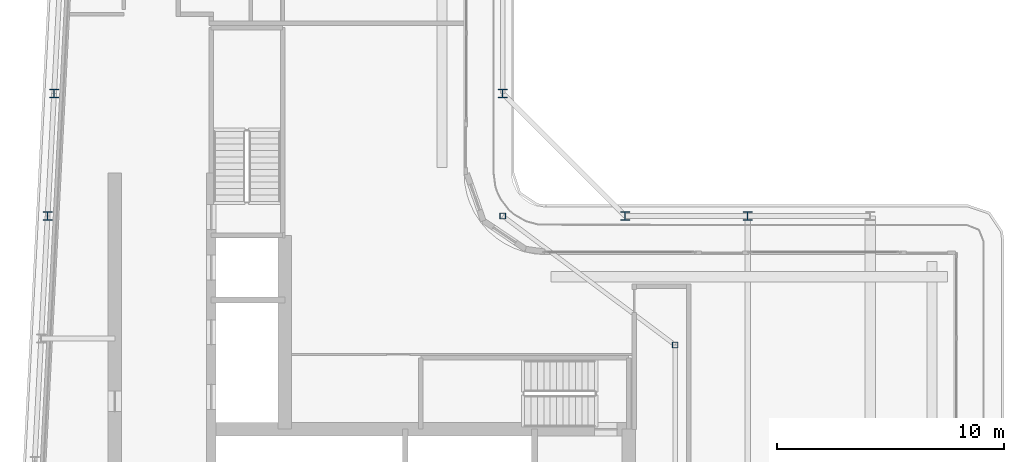
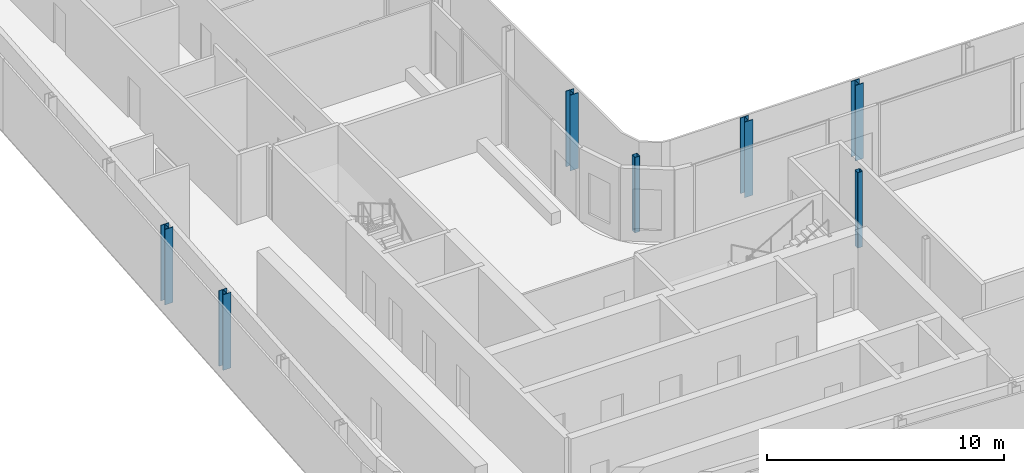
# One storey, part 2 of 20: 7 columns.
"""IFC4 building model written with IfcOpenShell, lengths in metres."""

from ifc_helpers import new_model, si_unit, direction, frame, origin, origin_2d, place, context, subcontext, project, spatial, hollow_rectangle, i_section, extrude, material, material_profile, profile_set, type_object, element, save


model = new_model("IFC4")

# Units and contexts
model_context = context("Model", 3, precision=1e-05, world=origin(), true_north=direction((0.0, 1.0)))
body_context = subcontext(model_context, "Body", "Model", "MODEL_VIEW")
ifc_project = project(units=[si_unit("LENGTHUNIT", "METRE"), si_unit("AREAUNIT", "SQUARE_METRE"), si_unit("VOLUMEUNIT", "CUBIC_METRE"), si_unit("PLANEANGLEUNIT", "RADIAN"), si_unit("MASSUNIT", "GRAM", prefix="KILO")], contexts=[model_context])

# Site, building, storey
site_placement = place(None, origin())
site = spatial("IfcSite", under=ifc_project, at=site_placement, CompositionType="ELEMENT")
building_placement = place(site_placement, origin())
building = spatial("IfcBuilding", under=site, at=building_placement, Name="Kheshtan School and Residences Tower", CompositionType="ELEMENT")
storey_placement = place(building_placement, frame((0.0, 0.0, 286.39990234375)))
storey = spatial("IfcBuildingStorey", under=building, at=storey_placement, Name="L67", CompositionType="ELEMENT", Elevation=286.39990234375)

# Columns
ifc_material_1 = material(Name="Steel ASTM A992 Grade 50", Category="steel")
ifc_material_profile_1 = material_profile(ifc_material_1, i_section(OverallWidth=0.39501953125, OverallDepth=0.3798828125, WebThickness=0.018798828125, FlangeThickness=0.0302734375, FilletRadius=0.011474609375, at=origin_2d()), Name="W360x237")
ifc_profile_set_1 = profile_set([ifc_material_profile_1], Name="Steel ASTM A992 Grade 50")
column_type_1 = type_object("IfcColumnType", Name="Column C5 W360x237 ASTM A992 Grade 50", PredefinedType="COLUMN", material=ifc_profile_set_1)
for number, where, z_axis, x_axis, name in (
    (1, (27.537109375, 45.60009765625, 0.0), (0.0, 0.0, 1.0), (1.0, 0.0, 0.0), "Column C059"),
    (2, (53.0, 45.60009765625, 0.0), (0.0, 0.0, 1.0), (1.0, 0.0, 0.0), "Column C061"),
    (3, (58.39990234375, 45.60009765625, 0.0), (0.0, 0.0, 1.0), (1.0, 0.0, 0.0), "Column C062"),
    (4, (27.822021484375, 51.0, 0.0), (0.0, 0.0, 1.0), (1.0, 0.0, 0.0), "Column C078"),
    (5, (47.60009765625, 51.0, 0.0), (0.0, 0.0, 1.0), (1.0, 0.0, 0.0), "Column C079"),
):
    element("IfcColumn", number, at=place(storey_placement, frame(where, z_axis=z_axis, x_axis=x_axis)), inside=storey, type_object=column_type_1, Name=name, PredefinedType="COLUMN", context=body_context, shape_type="SweptSolid", body=[
        extrude(i_section(OverallWidth=0.39501953125, OverallDepth=0.3798828125, WebThickness=0.018798828125, FlangeThickness=0.0302734375, FilletRadius=0.011474609375, at=origin_2d()), origin(), (0.0, 0.0, 1.0), 3.900146484375),
    ])
ifc_material_2 = material(Name="Steel ASTM A500 Grade C", Category="steel")
ifc_material_profile_2 = material_profile(ifc_material_2, hollow_rectangle(XDim=0.25390625, YDim=0.25390625, WallThickness=0.0126953125, InnerFilletRadius=0.0126953125, OuterFilletRadius=0.025390625, at=origin_2d()), Name="HSS 254x254x12.7")
ifc_profile_set_2 = profile_set([ifc_material_profile_2], Name="Steel ASTM A500 Grade C")
column_type_2 = type_object("IfcColumnType", Name="Column IC3 HSS 254x254x12.7 ASTM A500 Grade C", PredefinedType="COLUMN", material=ifc_profile_set_2)
for number, where, z_axis, x_axis, name in (
    (6, (55.199951171875, 39.916015625, 0.0), (0.0, 0.0, 1.0), (1.0, 0.0, 0.0), "Column C055"),
    (7, (47.60009765625, 45.60009765625, 0.0), (0.0, 0.0, 1.0), (1.0, 0.0, 0.0), "Column C060"),
):
    element("IfcColumn", number, at=place(storey_placement, frame(where, z_axis=z_axis, x_axis=x_axis)), inside=storey, type_object=column_type_2, Name=name, PredefinedType="COLUMN", context=body_context, shape_type="SweptSolid", body=[
        extrude(hollow_rectangle(XDim=0.25390625, YDim=0.25390625, WallThickness=0.0126953125, InnerFilletRadius=0.0126953125, OuterFilletRadius=0.025390625, at=origin_2d()), origin(), (0.0, 0.0, 1.0), 3.900146484375),
    ])

save(model, "model.ifc")
